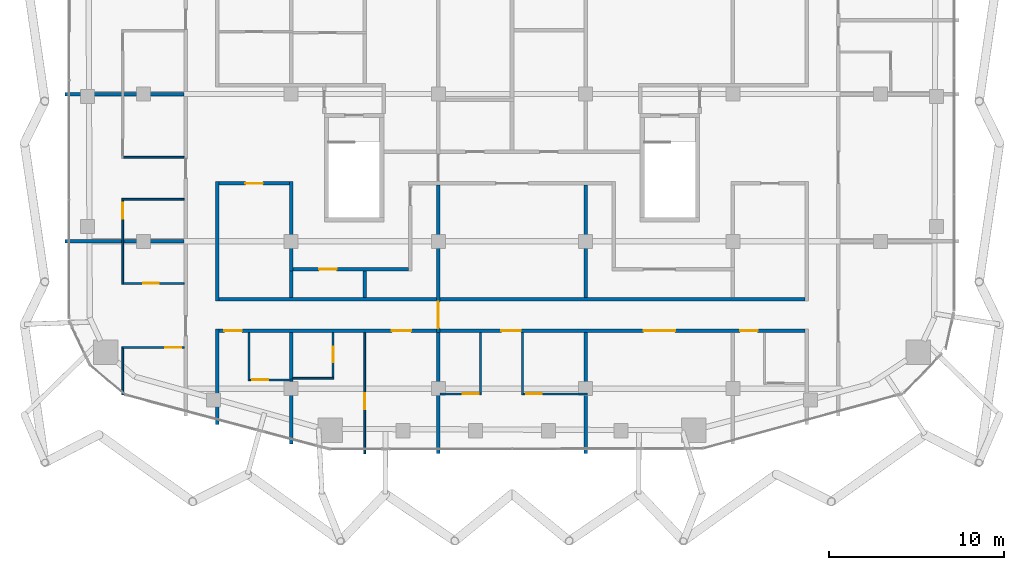
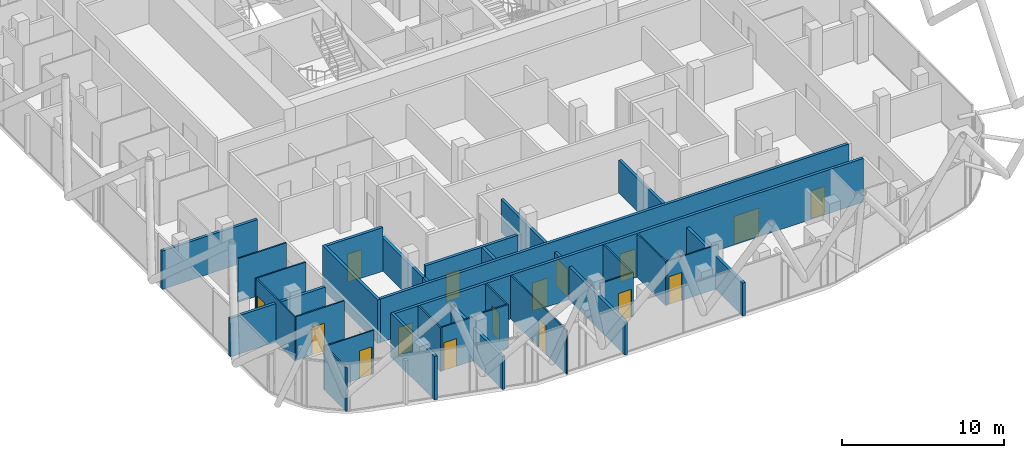
# One storey, part 25 of 33: 31 walls, 16 doors, 16 openings.
"""IFC4 building model written with IfcOpenShell, lengths in metres."""

from ifc_helpers import new_model, si_unit, direction, frame, frame_2d, origin, place, context, subcontext, project, spatial, rectangle, extrude, material, layer, layer_set, type_object, element, fill, save


model = new_model("IFC4")

# Units and contexts
model_context = context("Model", 3, precision=1e-05, world=origin(), true_north=direction((0.0, 1.0)))
body_context = subcontext(model_context, "Body", "Model", "MODEL_VIEW")
ifc_project = project(units=[si_unit("LENGTHUNIT", "METRE"), si_unit("AREAUNIT", "SQUARE_METRE"), si_unit("VOLUMEUNIT", "CUBIC_METRE"), si_unit("PLANEANGLEUNIT", "RADIAN"), si_unit("MASSUNIT", "GRAM", prefix="KILO")], contexts=[model_context])

# Site, building, storey
site_placement = place(None, origin())
site = spatial("IfcSite", under=ifc_project, at=site_placement, CompositionType="ELEMENT")
building_placement = place(site_placement, origin())
building = spatial("IfcBuilding", under=site, at=building_placement, Name="Marenta Gate Hotel Tower", CompositionType="ELEMENT")
storey_placement = place(building_placement, frame((0.0, 0.0, 248.89990234375)))
storey = spatial("IfcBuildingStorey", under=building, at=storey_placement, Name="L59", CompositionType="ELEMENT", Elevation=248.89990234375)

# Wall
ifc_material_1 = material(Name="Concrete blockwork", Category="masonry")
ifc_layer_1 = layer(ifc_material_1, 0.199951171875)
ifc_layer_set_1 = layer_set([ifc_layer_1], Name="Concrete blockwork")
wall_type_1 = type_object("IfcWallType", Name="Compartment wall 200 REI 180", PredefinedType="PARTITIONING", material=ifc_layer_set_1)
wall_1_placement = place(storey_placement, frame((-4.199951171875, -28.89990234375, 0.0), z_axis=(0.0, 0.0, 1.0), x_axis=(0.0, 1.0, 0.0)))
element("IfcWall", 1, at=wall_1_placement, inside=storey, type_object=wall_type_1, Name="L59-PTN-W069", PredefinedType="PARTITIONING", context=body_context, shape_type="SweptSolid", body=[
    extrude(rectangle(XDim=6.89990234375, YDim=0.199951171875, at=frame_2d((3.449951171875, 0.0))), origin(), (0.0, 0.0, 1.0), 2.486083984375),
])

# Wall, opening, door
wall_2_placement = place(storey_placement, frame((-4.199951171875, -22.0, 0.0), z_axis=(0.0, 0.0, 1.0), x_axis=(0.0, 1.0, 0.0)))
wall_2 = element("IfcWall", 2, at=wall_2_placement, inside=storey, type_object=wall_type_1, Name="L59-PTN-W070", PredefinedType="PARTITIONING", context=body_context, shape_type="SweptSolid", body=[
    extrude(rectangle(XDim=8.39990234375, YDim=0.199951171875, at=frame_2d((4.199951171875, 0.0))), origin(), (0.0, 0.0, 1.0), 2.486083984375),
])
opening_1_placement = place(wall_2_placement, frame((0.25, 0.0, 0.0)))
opening_1 = element("IfcOpeningElement", 3, at=opening_1_placement, cuts=wall_2, Name="Opening G21-FD4", PredefinedType="OPENING", context=body_context, shape_type="SweptSolid", body=[
    extrude(rectangle(XDim=1.5, YDim=2.10009765625, at=frame_2d((0.75, 1.050048828125))), frame((0.0, 0.10009765625, 0.0), z_axis=(0.0, -1.0, 0.0), x_axis=(1.0, 0.0, 0.0)), (0.0, 0.0, 1.0), 0.199951171875),
])
ifc_material_2 = material(Name="Hollow steel door set", Category="steel")
door_type_1 = type_object("IfcDoorType", Name="Compartment fire door 1500x2100 EI 60", OperationType="DOUBLE_DOOR_DOUBLE_SWING", PredefinedType="DOOR", material=ifc_material_2)
door_1_placement = place(opening_1_placement, origin())
door_1 = element("IfcDoor", 4, at=door_1_placement, inside=storey, type_object=door_type_1, Name="L59-PD-FD04", OperationType="DOUBLE_DOOR_DOUBLE_SWING", OverallHeight=2.10009765625, OverallWidth=1.5, PredefinedType="DOOR", context=body_context, shape_type="SweptSolid", body=[
    extrude(rectangle(XDim=1.5, YDim=2.10009765625, at=frame_2d((0.75, 1.050048828125))), frame((0.0, 0.02490234375, 0.0), z_axis=(0.0, -1.0, 0.0), x_axis=(1.0, 0.0, 0.0)), (0.0, 0.0, 1.0), 0.050048828125),
])
fill(opening_1, door_1)

# Wall, openings, doors
ifc_material_3 = material(Name="Gypsum board on steel stud", Category="steel")
ifc_layer_2 = layer(ifc_material_3, 0.199951171875)
ifc_layer_set_2 = layer_set([ifc_layer_2], Name="Gypsum board on steel stud")
wall_type_2 = type_object("IfcWallType", Name="Room corridor wall 200 EI 60", PredefinedType="PARTITIONING", material=ifc_layer_set_2)
wall_3_placement = place(storey_placement, frame((-16.699951171875, -21.89990234375, 0.0), z_axis=(0.0, 0.0, 1.0), x_axis=(1.0, 0.0, 0.0)))
wall_3 = element("IfcWall", 5, at=wall_3_placement, inside=storey, type_object=wall_type_2, Name="L59-PTN-W011", PredefinedType="PARTITIONING", context=body_context, shape_type="SweptSolid", body=[
    extrude(rectangle(XDim=33.39990234375, YDim=0.199951171875, at=frame_2d((16.699951171875, 0.0))), origin(), (0.0, 0.0, 1.0), 3.300048828125),
])
opening_2_placement = place(wall_3_placement, frame((0.300048828125, 0.0, 0.0)))
opening_2 = element("IfcOpeningElement", 6, at=opening_2_placement, cuts=wall_3, Name="Opening G21-33", PredefinedType="OPENING", context=body_context, shape_type="SweptSolid", body=[
    extrude(rectangle(XDim=1.0, YDim=2.10009765625, at=frame_2d((0.5, 1.050048828125))), frame((0.0, 0.10009765625, 0.0), z_axis=(0.0, -1.0, 0.0), x_axis=(1.0, 0.0, 0.0)), (0.0, 0.0, 1.0), 0.199951171875),
])
opening_3_placement = place(wall_3_placement, frame((9.85009765625, 0.0, 0.0)))
opening_3 = element("IfcOpeningElement", 7, at=opening_3_placement, cuts=wall_3, Name="Opening G21-35", PredefinedType="OPENING", context=body_context, shape_type="SweptSolid", body=[
    extrude(rectangle(XDim=1.10009765625, YDim=2.10009765625, at=frame_2d((0.550048828125, 1.050048828125))), frame((0.0, 0.10009765625, 0.0), z_axis=(0.0, -1.0, 0.0), x_axis=(1.0, 0.0, 0.0)), (0.0, 0.0, 1.0), 0.199951171875),
])
opening_4_placement = place(wall_3_placement, frame((16.10009765625, 0.0, 0.0)))
opening_4 = element("IfcOpeningElement", 8, at=opening_4_placement, cuts=wall_3, Name="Opening G21-38", PredefinedType="OPENING", context=body_context, shape_type="SweptSolid", body=[
    extrude(rectangle(XDim=1.10009765625, YDim=2.10009765625, at=frame_2d((0.550048828125, 1.050048828125))), frame((0.0, 0.10009765625, 0.0), z_axis=(0.0, -1.0, 0.0), x_axis=(1.0, 0.0, 0.0)), (0.0, 0.0, 1.0), 0.199951171875),
])
opening_5_placement = place(wall_3_placement, frame((24.199951171875, 0.0, 0.0)))
opening_5 = element("IfcOpeningElement", 9, at=opening_5_placement, cuts=wall_3, Name="Opening G21-41", PredefinedType="OPENING", context=body_context, shape_type="SweptSolid", body=[
    extrude(rectangle(XDim=1.800048828125, YDim=2.10009765625, at=frame_2d((0.89990234375, 1.050048828125))), frame((0.0, 0.10009765625, 0.0), z_axis=(0.0, -1.0, 0.0), x_axis=(1.0, 0.0, 0.0)), (0.0, 0.0, 1.0), 0.199951171875),
])
opening_6_placement = place(wall_3_placement, frame((29.699951171875, 0.0, 0.0)))
opening_6 = element("IfcOpeningElement", 10, at=opening_6_placement, cuts=wall_3, Name="Opening G21-42", PredefinedType="OPENING", context=body_context, shape_type="SweptSolid", body=[
    extrude(rectangle(XDim=1.0, YDim=2.10009765625, at=frame_2d((0.5, 1.050048828125))), frame((0.0, 0.10009765625, 0.0), z_axis=(0.0, -1.0, 0.0), x_axis=(1.0, 0.0, 0.0)), (0.0, 0.0, 1.0), 0.199951171875),
])
ifc_material_4 = material(Name="Timber door leaf", Category="wood")
door_type_2 = type_object("IfcDoorType", Name="Guest room door 1000x2100 EI 30", OperationType="NOTDEFINED", PredefinedType="DOOR", material=ifc_material_4)
door_2_placement = place(opening_2_placement, origin())
door_2 = element("IfcDoor", 11, at=door_2_placement, inside=storey, type_object=door_type_2, Name="L59-PD-D033", OperationType="SINGLE_SWING_RIGHT", OverallHeight=2.10009765625, OverallWidth=1.0, PredefinedType="DOOR", context=body_context, shape_type="SweptSolid", body=[
    extrude(rectangle(XDim=1.0, YDim=2.10009765625, at=frame_2d((0.5, 1.050048828125))), frame((0.0, 0.02490234375, 0.0), z_axis=(0.0, -1.0, 0.0), x_axis=(1.0, 0.0, 0.0)), (0.0, 0.0, 1.0), 0.050048828125),
])
fill(opening_2, door_2)
door_3_placement = place(opening_6_placement, origin())
door_3 = element("IfcDoor", 12, at=door_3_placement, inside=storey, type_object=door_type_2, Name="L59-PD-D042", OperationType="SINGLE_SWING_RIGHT", OverallHeight=2.10009765625, OverallWidth=1.0, PredefinedType="DOOR", context=body_context, shape_type="SweptSolid", body=[
    extrude(rectangle(XDim=1.0, YDim=2.10009765625, at=frame_2d((0.5, 1.050048828125))), frame((0.0, 0.02490234375, 0.0), z_axis=(0.0, -1.0, 0.0), x_axis=(1.0, 0.0, 0.0)), (0.0, 0.0, 1.0), 0.050048828125),
])
fill(opening_6, door_3)
ifc_material_5 = material(Name="Timber door leaf", Category="wood")
door_type_3 = type_object("IfcDoorType", Name="Guest room door 1100x2100 EI 30", OperationType="NOTDEFINED", PredefinedType="DOOR", material=ifc_material_5)
door_4_placement = place(opening_3_placement, origin())
door_4 = element("IfcDoor", 13, at=door_4_placement, inside=storey, type_object=door_type_3, Name="L59-PD-D035", OperationType="SINGLE_SWING_LEFT", OverallHeight=2.10009765625, OverallWidth=1.10009765625, PredefinedType="DOOR", context=body_context, shape_type="SweptSolid", body=[
    extrude(rectangle(XDim=1.10009765625, YDim=2.10009765625, at=frame_2d((0.550048828125, 1.050048828125))), frame((0.0, 0.02490234375, 0.0), z_axis=(0.0, -1.0, 0.0), x_axis=(1.0, 0.0, 0.0)), (0.0, 0.0, 1.0), 0.050048828125),
])
fill(opening_3, door_4)
door_5_placement = place(opening_4_placement, origin())
door_5 = element("IfcDoor", 14, at=door_5_placement, inside=storey, type_object=door_type_3, Name="L59-PD-D038", OperationType="SINGLE_SWING_LEFT", OverallHeight=2.10009765625, OverallWidth=1.10009765625, PredefinedType="DOOR", context=body_context, shape_type="SweptSolid", body=[
    extrude(rectangle(XDim=1.10009765625, YDim=2.10009765625, at=frame_2d((0.550048828125, 1.050048828125))), frame((0.0, 0.02490234375, 0.0), z_axis=(0.0, -1.0, 0.0), x_axis=(1.0, 0.0, 0.0)), (0.0, 0.0, 1.0), 0.050048828125),
])
fill(opening_4, door_5)
ifc_material_6 = material(Name="Timber door leaf", Category="wood")
door_type_4 = type_object("IfcDoorType", Name="Room amenity door 1800x2100 EI 30", OperationType="DOUBLE_DOOR_SINGLE_SWING", PredefinedType="DOOR", material=ifc_material_6)
door_6_placement = place(opening_5_placement, origin())
door_6 = element("IfcDoor", 15, at=door_6_placement, inside=storey, type_object=door_type_4, Name="L59-PD-D041", OperationType="DOUBLE_DOOR_SINGLE_SWING", OverallHeight=2.10009765625, OverallWidth=1.800048828125, PredefinedType="DOOR", context=body_context, shape_type="SweptSolid", body=[
    extrude(rectangle(XDim=1.800048828125, YDim=2.10009765625, at=frame_2d((0.89990234375, 1.050048828125))), frame((0.0, 0.02490234375, 0.0), z_axis=(0.0, -1.0, 0.0), x_axis=(1.0, 0.0, 0.0)), (0.0, 0.0, 1.0), 0.050048828125),
])
fill(opening_5, door_6)

# Wall
wall_4_placement = place(storey_placement, frame((-16.699951171875, -20.10009765625, 0.0), z_axis=(0.0, 0.0, 1.0), x_axis=(1.0, 0.0, 0.0)))
element("IfcWall", 16, at=wall_4_placement, inside=storey, type_object=wall_type_2, Name="L59-PTN-W015", PredefinedType="PARTITIONING", context=body_context, shape_type="SweptSolid", body=[
    extrude(rectangle(XDim=33.39990234375, YDim=0.199951171875, at=frame_2d((16.699951171875, 0.0))), origin(), (0.0, 0.0, 1.0), 3.300048828125),
])

# Wall, opening, door
wall_5_placement = place(storey_placement, frame((-12.5, -18.39990234375, 0.0), z_axis=(0.0, 0.0, 1.0), x_axis=(1.0, 0.0, 0.0)))
wall_5 = element("IfcWall", 17, at=wall_5_placement, inside=storey, type_object=wall_type_2, Name="L59-PTN-W018", PredefinedType="PARTITIONING", context=body_context, shape_type="SweptSolid", body=[
    extrude(rectangle(XDim=6.60009765625, YDim=0.199951171875, at=frame_2d((3.300048828125, 0.0))), origin(), (0.0, 0.0, 1.0), 3.300048828125),
])
opening_7_placement = place(wall_5_placement, frame((1.5, 0.0, 0.0)))
opening_7 = element("IfcOpeningElement", 18, at=opening_7_placement, cuts=wall_5, Name="Opening G21-09", PredefinedType="OPENING", context=body_context, shape_type="SweptSolid", body=[
    extrude(rectangle(XDim=1.0, YDim=2.10009765625, at=frame_2d((0.5, 1.050048828125))), frame((0.0, 0.10009765625, 0.0), z_axis=(0.0, -1.0, 0.0), x_axis=(1.0, 0.0, 0.0)), (0.0, 0.0, 1.0), 0.199951171875),
])
ifc_material_7 = material(Name="Timber door leaf", Category="wood")
door_type_5 = type_object("IfcDoorType", Name="Room amenity door 1000x2100 EI 30", OperationType="NOTDEFINED", PredefinedType="DOOR", material=ifc_material_7)
door_7_placement = place(opening_7_placement, origin())
door_7 = element("IfcDoor", 19, at=door_7_placement, inside=storey, type_object=door_type_5, Name="L59-PD-D009", OperationType="SINGLE_SWING_RIGHT", OverallHeight=2.10009765625, OverallWidth=1.0, PredefinedType="DOOR", context=body_context, shape_type="SweptSolid", body=[
    extrude(rectangle(XDim=1.0, YDim=2.10009765625, at=frame_2d((0.5, 1.050048828125))), frame((0.0, 0.02490234375, 0.0), z_axis=(0.0, -1.0, 0.0), x_axis=(1.0, 0.0, 0.0)), (0.0, 0.0, 1.0), 0.050048828125),
])
fill(opening_7, door_7)

wall_6_placement = place(storey_placement, frame((-16.699951171875, -13.5, 0.0), z_axis=(0.0, 0.0, 1.0), x_axis=(1.0, 0.0, 0.0)))
wall_6 = element("IfcWall", 20, at=wall_6_placement, inside=storey, type_object=wall_type_2, Name="L59-PTN-W028", PredefinedType="PARTITIONING", context=body_context, shape_type="SweptSolid", body=[
    extrude(rectangle(XDim=4.0, YDim=0.199951171875, at=frame_2d((2.0, 0.0))), origin(), (0.0, 0.0, 1.0), 3.300048828125),
])
opening_8_placement = place(wall_6_placement, frame((1.5, 0.0, 0.0)))
opening_8 = element("IfcOpeningElement", 21, at=opening_8_placement, cuts=wall_6, Name="Opening G21-08", PredefinedType="OPENING", context=body_context, shape_type="SweptSolid", body=[
    extrude(rectangle(XDim=1.0, YDim=2.10009765625, at=frame_2d((0.5, 1.050048828125))), frame((0.0, 0.10009765625, 0.0), z_axis=(0.0, -1.0, 0.0), x_axis=(1.0, 0.0, 0.0)), (0.0, 0.0, 1.0), 0.199951171875),
])
door_8_placement = place(opening_8_placement, origin())
door_8 = element("IfcDoor", 22, at=door_8_placement, inside=storey, type_object=door_type_5, Name="L59-PD-D008", OperationType="SINGLE_SWING_RIGHT", OverallHeight=2.10009765625, OverallWidth=1.0, PredefinedType="DOOR", context=body_context, shape_type="SweptSolid", body=[
    extrude(rectangle(XDim=1.0, YDim=2.10009765625, at=frame_2d((0.5, 1.050048828125))), frame((0.0, 0.02490234375, 0.0), z_axis=(0.0, -1.0, 0.0), x_axis=(1.0, 0.0, 0.0)), (0.0, 0.0, 1.0), 0.050048828125),
])
fill(opening_8, door_8)

# Walls
wall_7_placement = place(storey_placement, frame((-12.60009765625, -18.5, 0.0), z_axis=(0.0, 0.0, 1.0), x_axis=(0.0, 1.0, 0.0)))
element("IfcWall", 23, at=wall_7_placement, inside=storey, type_object=wall_type_2, Name="L59-PTN-W091", PredefinedType="PARTITIONING", context=body_context, shape_type="SweptSolid", body=[
    extrude(rectangle(XDim=5.10009765625, YDim=0.199951171875, at=frame_2d((2.550048828125, 0.0))), origin(), (0.0, 0.0, 1.0), 2.486083984375),
])
wall_8_placement = place(storey_placement, frame((-16.800048828125, -27.22900390625, 0.0), z_axis=(0.0, 0.0, 1.0), x_axis=(0.0, 1.0, 0.0)))
element("IfcWall", 24, at=wall_8_placement, inside=storey, type_object=wall_type_2, Name="L59-PTN-W095", PredefinedType="PARTITIONING", context=body_context, shape_type="SweptSolid", body=[
    extrude(rectangle(XDim=5.428955078125, YDim=0.199951171875, at=frame_2d((2.71435546875, 0.0))), origin(), (0.0, 0.0, 1.0), 3.300048828125),
])
wall_9_placement = place(storey_placement, frame((-16.800048828125, -20.199951171875, 0.0), z_axis=(0.0, 0.0, 1.0), x_axis=(0.0, 1.0, 0.0)))
element("IfcWall", 25, at=wall_9_placement, inside=storey, type_object=wall_type_2, Name="L59-PTN-W096", PredefinedType="PARTITIONING", context=body_context, shape_type="SweptSolid", body=[
    extrude(rectangle(XDim=6.800048828125, YDim=0.199951171875, at=frame_2d((3.39990234375, 0.0))), origin(), (0.0, 0.0, 1.0), 3.300048828125),
])

# Wall, opening, door
ifc_material_8 = material(Name="Gypsum board on steel stud", Category="steel")
ifc_layer_3 = layer(ifc_material_8, 0.10009765625)
ifc_layer_set_3 = layer_set([ifc_layer_3], Name="Gypsum board on steel stud")
wall_type_3 = type_object("IfcWallType", Name="Room partition 100", PredefinedType="PARTITIONING", material=ifc_layer_set_3)
wall_10_placement = place(storey_placement, frame((-4.10009765625, -25.5, 0.0), z_axis=(0.0, 0.0, 1.0), x_axis=(1.0, 0.0, 0.0)))
wall_10 = element("IfcWall", 26, at=wall_10_placement, inside=storey, type_object=wall_type_3, Name="L59-PTN-W001", PredefinedType="PARTITIONING", context=body_context, shape_type="SweptSolid", body=[
    extrude(rectangle(XDim=2.35009765625, YDim=0.10009765625, at=frame_2d((1.175048828125, 0.0))), origin(), (0.0, 0.0, 1.0), 3.300048828125),
])
opening_9_placement = place(wall_10_placement, frame((1.300048828125, 0.0, 0.0)))
opening_9 = element("IfcOpeningElement", 27, at=opening_9_placement, cuts=wall_10, Name="Opening G21-40", PredefinedType="OPENING", context=body_context, shape_type="SweptSolid", body=[
    extrude(rectangle(XDim=0.89990234375, YDim=2.10009765625, at=frame_2d((0.449951171875, 1.050048828125))), frame((0.0, 0.050048828125, 0.0), z_axis=(0.0, -1.0, 0.0), x_axis=(1.0, 0.0, 0.0)), (0.0, 0.0, 1.0), 0.10009765625),
])
ifc_material_9 = material(Name="Timber door leaf", Category="wood")
door_type_6 = type_object("IfcDoorType", Name="Room inner door 900x2100", OperationType="NOTDEFINED", PredefinedType="DOOR", material=ifc_material_9)
door_9_placement = place(opening_9_placement, origin())
door_9 = element("IfcDoor", 28, at=door_9_placement, inside=storey, type_object=door_type_6, Name="L59-PD-D040", OperationType="SINGLE_SWING_RIGHT", OverallHeight=2.10009765625, OverallWidth=0.89990234375, PredefinedType="DOOR", context=body_context, shape_type="SweptSolid", body=[
    extrude(rectangle(XDim=0.89990234375, YDim=2.10009765625, at=frame_2d((0.449951171875, 1.050048828125))), frame((0.0, 0.02490234375, 0.0), z_axis=(0.0, -1.0, 0.0), x_axis=(1.0, 0.0, 0.0)), (0.0, 0.0, 1.0), 0.050048828125),
])
fill(opening_9, door_9)

wall_11_placement = place(storey_placement, frame((0.64990234375, -25.5, 0.0), z_axis=(0.0, 0.0, 1.0), x_axis=(1.0, 0.0, 0.0)))
wall_11 = element("IfcWall", 29, at=wall_11_placement, inside=storey, type_object=wall_type_3, Name="L59-PTN-W002", PredefinedType="PARTITIONING", context=body_context, shape_type="SweptSolid", body=[
    extrude(rectangle(XDim=3.650146484375, YDim=0.10009765625, at=frame_2d((1.8251953125, 0.0))), origin(), (0.0, 0.0, 1.0), 3.300048828125),
])
opening_10_placement = place(wall_11_placement, frame((0.14990234375, 0.0, 0.0)))
opening_10 = element("IfcOpeningElement", 30, at=opening_10_placement, cuts=wall_11, Name="Opening G21-39", PredefinedType="OPENING", context=body_context, shape_type="SweptSolid", body=[
    extrude(rectangle(XDim=0.89990234375, YDim=2.10009765625, at=frame_2d((0.449951171875, 1.050048828125))), frame((0.0, 0.050048828125, 0.0), z_axis=(0.0, -1.0, 0.0), x_axis=(1.0, 0.0, 0.0)), (0.0, 0.0, 1.0), 0.10009765625),
])
ifc_material_10 = material(Name="Timber door leaf", Category="wood")
door_type_7 = type_object("IfcDoorType", Name="Guest bathroom door 900x2100", OperationType="NOTDEFINED", PredefinedType="DOOR", material=ifc_material_10)
door_10_placement = place(opening_10_placement, origin())
door_10 = element("IfcDoor", 31, at=door_10_placement, inside=storey, type_object=door_type_7, Name="L59-PD-D039", OperationType="SINGLE_SWING_LEFT", OverallHeight=2.10009765625, OverallWidth=0.89990234375, PredefinedType="DOOR", context=body_context, shape_type="SweptSolid", body=[
    extrude(rectangle(XDim=0.89990234375, YDim=2.10009765625, at=frame_2d((0.449951171875, 1.050048828125))), frame((0.0, 0.02490234375, 0.0), z_axis=(0.0, -1.0, 0.0), x_axis=(1.0, 0.0, 0.0)), (0.0, 0.0, 1.0), 0.050048828125),
])
fill(opening_10, door_10)

wall_12_placement = place(storey_placement, frame((-14.949951171875, -24.699951171875, 0.0), z_axis=(0.0, 0.0, 1.0), x_axis=(1.0, 0.0, 0.0)))
wall_12 = element("IfcWall", 32, at=wall_12_placement, inside=storey, type_object=wall_type_3, Name="L59-PTN-W004", PredefinedType="PARTITIONING", context=body_context, shape_type="SweptSolid", body=[
    extrude(rectangle(XDim=2.449951171875, YDim=0.10009765625, at=frame_2d((1.22509765625, 0.0))), origin(), (0.0, 0.0, 1.0), 3.300048828125),
])
opening_11_placement = place(wall_12_placement, frame((0.14990234375, 0.0, 0.0)))
opening_11 = element("IfcOpeningElement", 33, at=opening_11_placement, cuts=wall_12, Name="Opening G21-34", PredefinedType="OPENING", context=body_context, shape_type="SweptSolid", body=[
    extrude(rectangle(XDim=0.89990234375, YDim=2.10009765625, at=frame_2d((0.449951171875, 1.050048828125))), frame((0.0, 0.050048828125, 0.0), z_axis=(0.0, -1.0, 0.0), x_axis=(1.0, 0.0, 0.0)), (0.0, 0.0, 1.0), 0.10009765625),
])
door_11_placement = place(opening_11_placement, origin())
door_11 = element("IfcDoor", 34, at=door_11_placement, inside=storey, type_object=door_type_7, Name="L59-PD-D034", OperationType="SINGLE_SWING_LEFT", OverallHeight=2.10009765625, OverallWidth=0.89990234375, PredefinedType="DOOR", context=body_context, shape_type="SweptSolid", body=[
    extrude(rectangle(XDim=0.89990234375, YDim=2.10009765625, at=frame_2d((0.449951171875, 1.050048828125))), frame((0.0, 0.02490234375, 0.0), z_axis=(0.0, -1.0, 0.0), x_axis=(1.0, 0.0, 0.0)), (0.0, 0.0, 1.0), 0.050048828125),
])
fill(opening_11, door_11)

# Wall
wall_13_placement = place(storey_placement, frame((-12.5, -24.60009765625, 0.0), z_axis=(0.0, 0.0, 1.0), x_axis=(1.0, 0.0, 0.0)))
element("IfcWall", 35, at=wall_13_placement, inside=storey, type_object=wall_type_3, Name="L59-PTN-W005", PredefinedType="PARTITIONING", context=body_context, shape_type="SweptSolid", body=[
    extrude(rectangle(XDim=2.35009765625, YDim=0.10009765625, at=frame_2d((1.175048828125, 0.0))), origin(), (0.0, 0.0, 1.0), 3.300048828125),
])

# Wall, opening, door
wall_14_placement = place(storey_placement, frame((-22.25, -22.85107421875, 0.0), z_axis=(0.0, 0.0, 1.0), x_axis=(1.0, 0.0, 0.0)))
wall_14 = element("IfcWall", 36, at=wall_14_placement, inside=storey, type_object=wall_type_3, Name="L59-PTN-W006", PredefinedType="PARTITIONING", context=body_context, shape_type="SweptSolid", body=[
    extrude(rectangle(XDim=3.550048828125, YDim=0.10009765625, at=frame_2d((1.77490234375, 0.0))), origin(), (0.0, 0.0, 1.0), 3.300048828125),
])
opening_12_placement = place(wall_14_placement, frame((2.489990234375, 0.0, 0.0)))
opening_12 = element("IfcOpeningElement", 37, at=opening_12_placement, cuts=wall_14, Name="Opening G21-45", PredefinedType="OPENING", context=body_context, shape_type="SweptSolid", body=[
    extrude(rectangle(XDim=0.89990234375, YDim=2.10009765625, at=frame_2d((0.449951171875, 1.050048828125))), frame((0.0, 0.050048828125, 0.0), z_axis=(0.0, -1.0, 0.0), x_axis=(1.0, 0.0, 0.0)), (0.0, 0.0, 1.0), 0.10009765625),
])
door_12_placement = place(opening_12_placement, origin())
door_12 = element("IfcDoor", 38, at=door_12_placement, inside=storey, type_object=door_type_7, Name="L59-PD-D045", OperationType="SINGLE_SWING_LEFT", OverallHeight=2.10009765625, OverallWidth=0.89990234375, PredefinedType="DOOR", context=body_context, shape_type="SweptSolid", body=[
    extrude(rectangle(XDim=0.89990234375, YDim=2.10009765625, at=frame_2d((0.449951171875, 1.050048828125))), frame((0.0, 0.02490234375, 0.0), z_axis=(0.0, -1.0, 0.0), x_axis=(1.0, 0.0, 0.0)), (0.0, 0.0, 1.0), 0.050048828125),
])
fill(opening_12, door_12)

wall_15_placement = place(storey_placement, frame((-22.14990234375, -19.199951171875, 0.0), z_axis=(0.0, 0.0, 1.0), x_axis=(1.0, 0.0, 0.0)))
wall_15 = element("IfcWall", 39, at=wall_15_placement, inside=storey, type_object=wall_type_3, Name="L59-PTN-W016", PredefinedType="PARTITIONING", context=body_context, shape_type="SweptSolid", body=[
    extrude(rectangle(XDim=3.449951171875, YDim=0.10009765625, at=frame_2d((1.72509765625, 0.0))), origin(), (0.0, 0.0, 1.0), 3.300048828125),
])
opening_13_placement = place(wall_15_placement, frame((1.1201171875, 0.0, 0.0)))
opening_13 = element("IfcOpeningElement", 40, at=opening_13_placement, cuts=wall_15, Name="Opening G21-46", PredefinedType="OPENING", context=body_context, shape_type="SweptSolid", body=[
    extrude(rectangle(XDim=0.89990234375, YDim=2.10009765625, at=frame_2d((0.449951171875, 1.050048828125))), frame((0.0, 0.050048828125, 0.0), z_axis=(0.0, -1.0, 0.0), x_axis=(1.0, 0.0, 0.0)), (0.0, 0.0, 1.0), 0.10009765625),
])
door_13_placement = place(opening_13_placement, origin())
door_13 = element("IfcDoor", 41, at=door_13_placement, inside=storey, type_object=door_type_6, Name="L59-PD-D046", OperationType="SINGLE_SWING_LEFT", OverallHeight=2.10009765625, OverallWidth=0.89990234375, PredefinedType="DOOR", context=body_context, shape_type="SweptSolid", body=[
    extrude(rectangle(XDim=0.89990234375, YDim=2.10009765625, at=frame_2d((0.449951171875, 1.050048828125))), frame((0.0, 0.02490234375, 0.0), z_axis=(0.0, -1.0, 0.0), x_axis=(1.0, 0.0, 0.0)), (0.0, 0.0, 1.0), 0.050048828125),
])
fill(opening_13, door_13)

# Walls
wall_16_placement = place(storey_placement, frame((-22.25, -14.39990234375, 0.0), z_axis=(0.0, 0.0, 1.0), x_axis=(1.0, 0.0, 0.0)))
element("IfcWall", 42, at=wall_16_placement, inside=storey, type_object=wall_type_3, Name="L59-PTN-W027", PredefinedType="PARTITIONING", context=body_context, shape_type="SweptSolid", body=[
    extrude(rectangle(XDim=3.550048828125, YDim=0.10009765625, at=frame_2d((1.77490234375, 0.0))), origin(), (0.0, 0.0, 1.0), 3.300048828125),
])
wall_17_placement = place(storey_placement, frame((-22.14990234375, -12.0, 0.0), z_axis=(0.0, 0.0, 1.0), x_axis=(1.0, 0.0, 0.0)))
element("IfcWall", 43, at=wall_17_placement, inside=storey, type_object=wall_type_3, Name="L59-PTN-W036", PredefinedType="PARTITIONING", context=body_context, shape_type="SweptSolid", body=[
    extrude(rectangle(XDim=3.449951171875, YDim=0.10009765625, at=frame_2d((1.72509765625, 0.0))), origin(), (0.0, 0.0, 1.0), 3.300048828125),
])
wall_18_placement = place(storey_placement, frame((0.60009765625, -25.550048828125, 0.0), z_axis=(0.0, 0.0, 1.0), x_axis=(0.0, 1.0, 0.0)))
element("IfcWall", 44, at=wall_18_placement, inside=storey, type_object=wall_type_3, Name="L59-PTN-W062", PredefinedType="PARTITIONING", context=body_context, shape_type="SweptSolid", body=[
    extrude(rectangle(XDim=3.550048828125, YDim=0.10009765625, at=frame_2d((1.77490234375, 0.0))), origin(), (0.0, 0.0, 1.0), 3.300048828125),
])
wall_19_placement = place(storey_placement, frame((-1.800048828125, -25.449951171875, 0.0), z_axis=(0.0, 0.0, 1.0), x_axis=(0.0, 1.0, 0.0)))
element("IfcWall", 45, at=wall_19_placement, inside=storey, type_object=wall_type_3, Name="L59-PTN-W066", PredefinedType="PARTITIONING", context=body_context, shape_type="SweptSolid", body=[
    extrude(rectangle(XDim=3.449951171875, YDim=0.10009765625, at=frame_2d((1.72509765625, 0.0))), origin(), (0.0, 0.0, 1.0), 3.300048828125),
])

# Wall, opening, door
wall_20_placement = place(storey_placement, frame((-8.39990234375, -28.89990234375, 0.0), z_axis=(0.0, 0.0, 1.0), x_axis=(0.0, 1.0, 0.0)))
wall_20 = element("IfcWall", 46, at=wall_20_placement, inside=storey, type_object=wall_type_3, Name="L59-PTN-W078", PredefinedType="PARTITIONING", context=body_context, shape_type="SweptSolid", body=[
    extrude(rectangle(XDim=6.89990234375, YDim=0.10009765625, at=frame_2d((3.449951171875, 0.0))), origin(), (0.0, 0.0, 1.0), 3.300048828125),
])
opening_14_placement = place(wall_20_placement, frame((2.530029296875, 0.0, 0.0)))
opening_14 = element("IfcOpeningElement", 47, at=opening_14_placement, cuts=wall_20, Name="Opening G21-36", PredefinedType="OPENING", context=body_context, shape_type="SweptSolid", body=[
    extrude(rectangle(XDim=0.89990234375, YDim=2.10009765625, at=frame_2d((0.449951171875, 1.050048828125))), frame((0.0, 0.050048828125, 0.0), z_axis=(0.0, -1.0, 0.0), x_axis=(1.0, 0.0, 0.0)), (0.0, 0.0, 1.0), 0.10009765625),
])
door_14_placement = place(opening_14_placement, origin())
door_14 = element("IfcDoor", 48, at=door_14_placement, inside=storey, type_object=door_type_6, Name="L59-PD-D036", OperationType="SINGLE_SWING_LEFT", OverallHeight=2.10009765625, OverallWidth=0.89990234375, PredefinedType="DOOR", context=body_context, shape_type="SweptSolid", body=[
    extrude(rectangle(XDim=0.89990234375, YDim=2.10009765625, at=frame_2d((0.449951171875, 1.050048828125))), frame((0.0, 0.02490234375, 0.0), z_axis=(0.0, -1.0, 0.0), x_axis=(1.0, 0.0, 0.0)), (0.0, 0.0, 1.0), 0.050048828125),
])
fill(opening_14, door_14)

wall_21_placement = place(storey_placement, frame((-10.199951171875, -24.550048828125, 0.0), z_axis=(0.0, 0.0, 1.0), x_axis=(0.0, 1.0, 0.0)))
wall_21 = element("IfcWall", 49, at=wall_21_placement, inside=storey, type_object=wall_type_3, Name="L59-PTN-W083", PredefinedType="PARTITIONING", context=body_context, shape_type="SweptSolid", body=[
    extrude(rectangle(XDim=2.550048828125, YDim=0.10009765625, at=frame_2d((1.27490234375, 0.0))), origin(), (0.0, 0.0, 1.0), 3.300048828125),
])
opening_15_placement = place(wall_21_placement, frame((0.85009765625, 0.0, 0.0)))
opening_15 = element("IfcOpeningElement", 50, at=opening_15_placement, cuts=wall_21, Name="Opening G21-37", PredefinedType="OPENING", context=body_context, shape_type="SweptSolid", body=[
    extrude(rectangle(XDim=0.89990234375, YDim=2.10009765625, at=frame_2d((0.449951171875, 1.050048828125))), frame((0.0, 0.050048828125, 0.0), z_axis=(0.0, -1.0, 0.0), x_axis=(1.0, 0.0, 0.0)), (0.0, 0.0, 1.0), 0.10009765625),
])
door_15_placement = place(opening_15_placement, origin())
door_15 = element("IfcDoor", 51, at=door_15_placement, inside=storey, type_object=door_type_7, Name="L59-PD-D037", OperationType="SINGLE_SWING_RIGHT", OverallHeight=2.10009765625, OverallWidth=0.89990234375, PredefinedType="DOOR", context=body_context, shape_type="SweptSolid", body=[
    extrude(rectangle(XDim=0.89990234375, YDim=2.10009765625, at=frame_2d((0.449951171875, 1.050048828125))), frame((0.0, 0.02490234375, 0.0), z_axis=(0.0, -1.0, 0.0), x_axis=(1.0, 0.0, 0.0)), (0.0, 0.0, 1.0), 0.050048828125),
])
fill(opening_15, door_15)

# Walls
wall_22_placement = place(storey_placement, frame((-15.0, -24.75, 0.0), z_axis=(0.0, 0.0, 1.0), x_axis=(0.0, 1.0, 0.0)))
element("IfcWall", 52, at=wall_22_placement, inside=storey, type_object=wall_type_3, Name="L59-PTN-W094", PredefinedType="PARTITIONING", context=body_context, shape_type="SweptSolid", body=[
    extrude(rectangle(XDim=2.75, YDim=0.10009765625, at=frame_2d((1.375, 0.0))), origin(), (0.0, 0.0, 1.0), 3.300048828125),
])
wall_23_placement = place(storey_placement, frame((-22.199951171875, -25.552001953125, 0.0), z_axis=(0.0, 0.0, 1.0), x_axis=(0.0, 1.0, 0.0)))
element("IfcWall", 53, at=wall_23_placement, inside=storey, type_object=wall_type_3, Name="L59-PTN-W106", PredefinedType="PARTITIONING", context=body_context, shape_type="SweptSolid", body=[
    extrude(rectangle(XDim=2.651123046875, YDim=0.10009765625, at=frame_2d((1.32568359375, 0.0))), origin(), (0.0, 0.0, 1.0), 3.300048828125),
])

# Wall, opening, door
wall_24_placement = place(storey_placement, frame((-22.199951171875, -19.25, 0.0), z_axis=(0.0, 0.0, 1.0), x_axis=(0.0, 1.0, 0.0)))
wall_24 = element("IfcWall", 54, at=wall_24_placement, inside=storey, type_object=wall_type_3, Name="L59-PTN-W107", PredefinedType="PARTITIONING", context=body_context, shape_type="SweptSolid", body=[
    extrude(rectangle(XDim=4.800048828125, YDim=0.10009765625, at=frame_2d((2.39990234375, 0.0))), origin(), (0.0, 0.0, 1.0), 3.300048828125),
])
opening_16_placement = place(wall_24_placement, frame((3.75, 0.0, 0.0)))
opening_16 = element("IfcOpeningElement", 55, at=opening_16_placement, cuts=wall_24, Name="Opening G21-49", PredefinedType="OPENING", context=body_context, shape_type="SweptSolid", body=[
    extrude(rectangle(XDim=0.89990234375, YDim=2.10009765625, at=frame_2d((0.449951171875, 1.050048828125))), frame((0.0, 0.050048828125, 0.0), z_axis=(0.0, -1.0, 0.0), x_axis=(1.0, 0.0, 0.0)), (0.0, 0.0, 1.0), 0.10009765625),
])
door_16_placement = place(opening_16_placement, origin())
door_16 = element("IfcDoor", 56, at=door_16_placement, inside=storey, type_object=door_type_6, Name="L59-PD-D049", OperationType="SINGLE_SWING_LEFT", OverallHeight=2.10009765625, OverallWidth=0.89990234375, PredefinedType="DOOR", context=body_context, shape_type="SweptSolid", body=[
    extrude(rectangle(XDim=0.89990234375, YDim=2.10009765625, at=frame_2d((0.449951171875, 1.050048828125))), frame((0.0, 0.02490234375, 0.0), z_axis=(0.0, -1.0, 0.0), x_axis=(1.0, 0.0, 0.0)), (0.0, 0.0, 1.0), 0.050048828125),
])
fill(opening_16, door_16)

# Walls
ifc_material_11 = material(Name="Gypsum board on steel stud", Category="steel")
ifc_layer_4 = layer(ifc_material_11, 0.199951171875)
ifc_layer_set_4 = layer_set([ifc_layer_4], Name="Gypsum board on steel stud")
wall_type_4 = type_object("IfcWallType", Name="Room party wall 200 EI 60", PredefinedType="PARTITIONING", material=ifc_layer_set_4)
for number, where, z_axis, x_axis, name in (
    (57, (-25.5, -16.800048828125, 0.0), (0.0, 0.0, 1.0), (1.0, 0.0, 0.0), "L59-PTN-W024"),
    (58, (-25.5, -8.39990234375, 0.0), (0.0, 0.0, 1.0), (1.0, 0.0, 0.0), "L59-PTN-W041"),
):
    element("IfcWall", number, at=place(storey_placement, frame(where, z_axis=z_axis, x_axis=x_axis)), inside=storey, type_object=wall_type_4, Name=name, PredefinedType="PARTITIONING", context=body_context, shape_type="SweptSolid", body=[
        extrude(rectangle(XDim=6.800048828125, YDim=0.199951171875, at=frame_2d((3.39990234375, 0.0))), origin(), (0.0, 0.0, 1.0), 2.900146484375),
    ])
wall_25_placement = place(storey_placement, frame((4.199951171875, -28.89990234375, 0.0), z_axis=(0.0, 0.0, 1.0), x_axis=(0.0, 1.0, 0.0)))
element("IfcWall", 59, at=wall_25_placement, inside=storey, type_object=wall_type_4, Name="L59-PTN-W054", PredefinedType="PARTITIONING", context=body_context, shape_type="SweptSolid", body=[
    extrude(rectangle(XDim=6.89990234375, YDim=0.199951171875, at=frame_2d((3.449951171875, 0.0))), origin(), (0.0, 0.0, 1.0), 2.486083984375),
])
wall_26_placement = place(storey_placement, frame((4.199951171875, -20.0, 0.0), z_axis=(0.0, 0.0, 1.0), x_axis=(0.0, 1.0, 0.0)))
element("IfcWall", 60, at=wall_26_placement, inside=storey, type_object=wall_type_4, Name="L59-PTN-W055", PredefinedType="PARTITIONING", context=body_context, shape_type="SweptSolid", body=[
    extrude(rectangle(XDim=6.39990234375, YDim=0.199951171875, at=frame_2d((3.199951171875, 0.0))), origin(), (0.0, 0.0, 1.0), 2.486083984375),
])
wall_27_placement = place(storey_placement, frame((-8.39990234375, -20.0, 0.0), z_axis=(0.0, 0.0, 1.0), x_axis=(0.0, 1.0, 0.0)))
element("IfcWall", 61, at=wall_27_placement, inside=storey, type_object=wall_type_4, Name="L59-PTN-W079", PredefinedType="PARTITIONING", context=body_context, shape_type="SweptSolid", body=[
    extrude(rectangle(XDim=1.5, YDim=0.199951171875, at=frame_2d((0.75, 0.0))), origin(), (0.0, 0.0, 1.0), 3.300048828125),
])
wall_28_placement = place(storey_placement, frame((-12.60009765625, -28.343017578125, 0.0), z_axis=(0.0, 0.0, 1.0), x_axis=(0.0, 1.0, 0.0)))
element("IfcWall", 62, at=wall_28_placement, inside=storey, type_object=wall_type_4, Name="L59-PTN-W087", PredefinedType="PARTITIONING", context=body_context, shape_type="SweptSolid", body=[
    extrude(rectangle(XDim=6.343017578125, YDim=0.199951171875, at=frame_2d((3.17138671875, 0.0))), origin(), (0.0, 0.0, 1.0), 2.486083984375),
])
wall_29_placement = place(storey_placement, frame((-12.60009765625, -20.0, 0.0), z_axis=(0.0, 0.0, 1.0), x_axis=(0.0, 1.0, 0.0)))
element("IfcWall", 63, at=wall_29_placement, inside=storey, type_object=wall_type_4, Name="L59-PTN-W088", PredefinedType="PARTITIONING", context=body_context, shape_type="SweptSolid", body=[
    extrude(rectangle(XDim=1.5, YDim=0.199951171875, at=frame_2d((0.75, 0.0))), origin(), (0.0, 0.0, 1.0), 2.486083984375),
])

save(model, "model.ifc")
